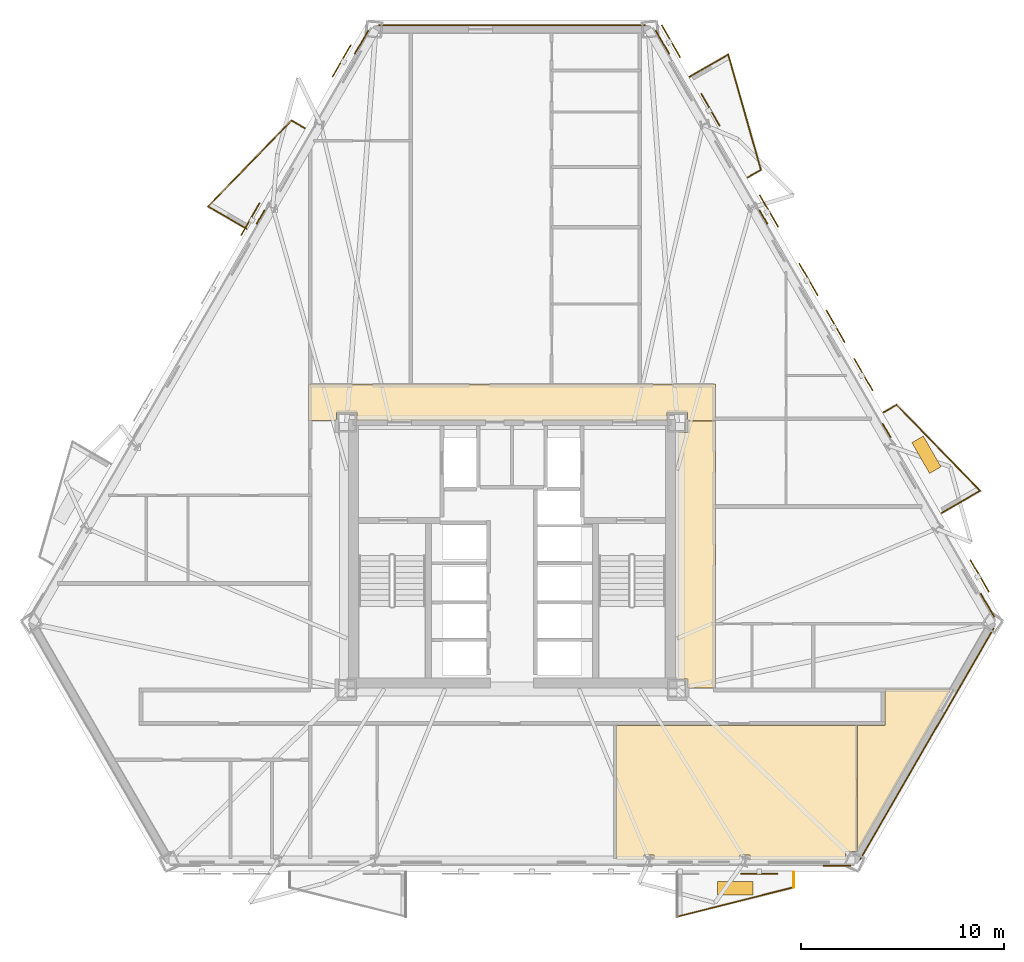
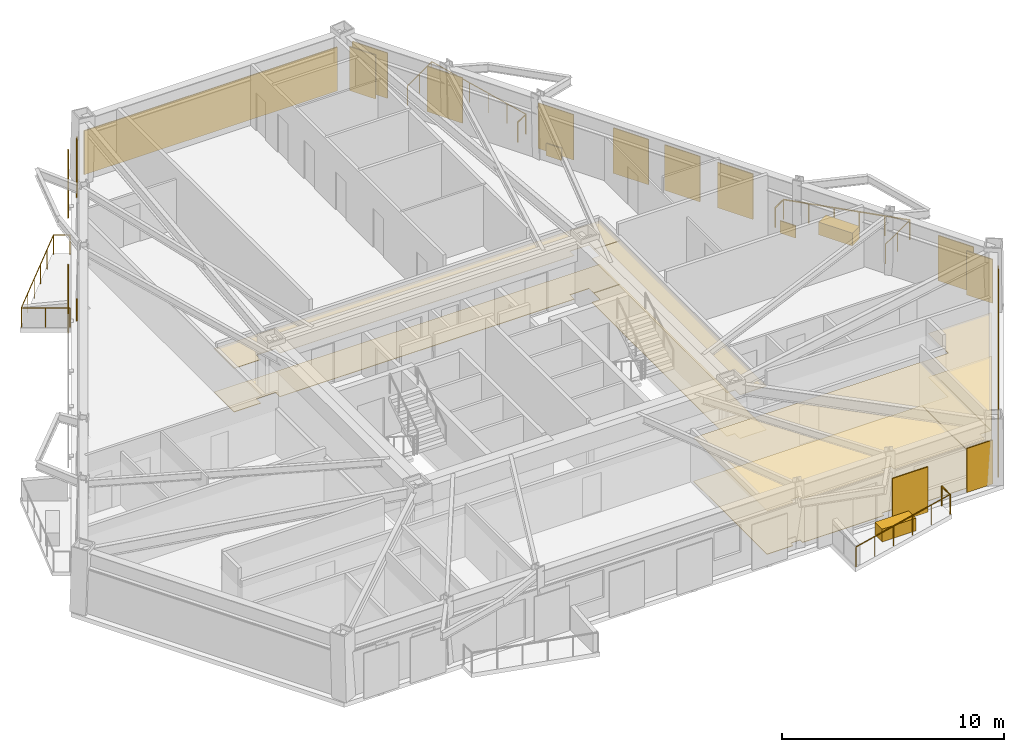
# One storey, part 10 of 10: 19 coverings, 11 railings, 10 shading devices.
"""IFC4 building model written with IfcOpenShell, lengths in metres."""

from ifc_helpers import new_model, si_unit, direction, frame, origin, origin_2d, place, context, subcontext, project, spatial, polyline, rectangle, circle, outline, extrude, material, layer, layer_set, type_object, element, save


model = new_model("IFC4")

# Units and contexts
model_context = context("Model", 3, precision=1e-05, world=origin(), true_north=direction((0.0, 1.0)))
body_context = subcontext(model_context, "Body", "Model", "MODEL_VIEW")
ifc_project = project(units=[si_unit("LENGTHUNIT", "METRE"), si_unit("AREAUNIT", "SQUARE_METRE"), si_unit("VOLUMEUNIT", "CUBIC_METRE"), si_unit("PLANEANGLEUNIT", "RADIAN"), si_unit("MASSUNIT", "GRAM", prefix="KILO")], contexts=[model_context])

# Site, building, storey
site_placement = place(None, origin())
site = spatial("IfcSite", under=ifc_project, at=site_placement, CompositionType="ELEMENT")
building_placement = place(site_placement, origin())
building = spatial("IfcBuilding", under=site, at=building_placement, Name="Oramaril Tower", CompositionType="ELEMENT")
storey_placement = place(building_placement, frame((0.0, 0.0, 66.89990234375)))
storey = spatial("IfcBuildingStorey", under=building, at=storey_placement, Name="L17", CompositionType="ELEMENT", Elevation=66.89990234375)

# Coverings
ifc_material_1 = material(Name="Mineral Fibre Acoustic Ceiling")
ifc_layer_1 = layer(ifc_material_1, 0.02001953125)
ifc_layer_set_1 = layer_set([ifc_layer_1], Name="CVT-CEIL")
covering_type_1 = type_object("IfcCoveringType", Name="CVT-CEIL", PredefinedType="CEILING", material=ifc_layer_set_1)
covering_1_placement = place(storey_placement, frame((0.0, 0.0, 2.400146484375)))
element("IfcCovering", 1, at=covering_1_placement, inside=storey, type_object=covering_type_1, Name="L17 Acoustic Suspended Ceiling 2", PredefinedType="CEILING", context=body_context, shape_type="SweptSolid", body=[
    extrude(outline(polyline([(47.530029296875, 24.239990234375), (46.14501953125, 24.239990234375), (46.14501953125, 24.64501953125), (45.155029296875, 24.64501953125), (45.155029296875, 24.25), (29.844970703125, 24.25), (29.844970703125, 24.64501953125), (28.85498046875, 24.64501953125), (28.85498046875, 24.239990234375), (27.469970703125, 24.239990234375), (27.469970703125, 26.050048828125), (47.530029296875, 26.050048828125), (47.530029296875, 24.239990234375)])), origin(), (0.0, 0.0, 1.0), 0.02001953125),
])
covering_2_placement = place(storey_placement, frame((0.0, 0.0, 2.400146484375)))
element("IfcCovering", 2, at=covering_2_placement, inside=storey, type_object=covering_type_1, Name="L17 Acoustic Suspended Ceiling 4", PredefinedType="CEILING", context=body_context, shape_type="SweptSolid", body=[
    extrude(outline(polyline([(47.530029296875, 11.050048828125), (46.14501953125, 11.050048828125), (46.14501953125, 11.4951171875), (45.719970703125, 11.4951171875), (45.719970703125, 23.655029296875), (46.14501953125, 23.655029296875), (46.14501953125, 24.219970703125), (47.530029296875, 24.219970703125), (47.530029296875, 11.050048828125)])), origin(), (0.0, 0.0, 1.0), 0.02001953125),
])
covering_3_placement = place(storey_placement, frame((0.0, 0.0, 2.400146484375)))
element("IfcCovering", 3, at=covering_3_placement, inside=storey, type_object=covering_type_1, Name="L17 Acoustic Suspended Ceiling 7", PredefinedType="CEILING", context=body_context, shape_type="SweptSolid", body=[
    extrude(outline(polyline([(53.9619140625, 2.980712890625), (53.9619140625, 2.573974609375), (49.24658203125, 2.573974609375), (49.24658203125, 2.797607421875), (48.74267578125, 2.797607421875), (48.74267578125, 2.573974609375), (44.50732421875, 2.573974609375), (44.50732421875, 2.797607421875), (44.015625, 2.797607421875), (44.015625, 2.573974609375), (42.662109375, 2.573974609375), (42.662109375, 9.199951171875), (54.527099609375, 9.199951171875), (54.527099609375, 2.980712890625), (53.9619140625, 2.980712890625)])), origin(), (0.0, 0.0, 1.0), 0.02001953125),
])
covering_4_placement = place(storey_placement, frame((0.0, 0.0, 2.400146484375)))
element("IfcCovering", 4, at=covering_4_placement, inside=storey, type_object=covering_type_1, Name="L17 Acoustic Suspended Ceiling 8", PredefinedType="CEILING", context=body_context, shape_type="SweptSolid", body=[
    extrude(outline(polyline([(59.1796875, 10.991943359375), (54.55419921875, 2.980712890625), (54.547119140625, 2.980712890625), (54.547119140625, 9.199951171875), (55.8798828125, 9.199951171875), (55.882080078125, 9.2001953125), (55.8837890625, 9.200439453125), (55.8857421875, 9.200927734375), (55.8876953125, 9.201416015625), (55.889404296875, 9.202392578125), (55.89111328125, 9.203369140625), (55.892578125, 9.20458984375), (55.89404296875, 9.205810546875), (55.8955078125, 9.207275390625), (55.896484375, 9.208984375), (55.897705078125, 9.210693359375), (55.8984375, 9.21240234375), (55.899169921875, 9.214111328125), (55.899658203125, 9.216064453125), (55.89990234375, 9.218017578125), (55.89990234375, 9.219970703125), (55.89990234375, 10.991943359375), (59.1796875, 10.991943359375)])), origin(), (0.0, 0.0, 1.0), 0.02001953125),
])
ifc_material_2 = material(Name="Warm Cream Limestone", Category="masonry")
ifc_layer_2 = layer(ifc_material_2, 0.050048828125)
ifc_layer_set_2 = layer_set([ifc_layer_2], Name="CVT-CLD")
covering_type_2 = type_object("IfcCoveringType", Name="CVT-CLD", PredefinedType="CLADDING", material=ifc_layer_set_2)
covering_5_placement = place(storey_placement, frame((53.53173828125, 2.27294921875, 0.0400390625), z_axis=(0.0, 0.0, 1.0), x_axis=(1.0, 0.0, 0.0)))
element("IfcCovering", 5, at=covering_5_placement, inside=storey, type_object=covering_type_2, Name="L17 Warm Cream Limestone Cladding", PredefinedType="CLADDING", context=body_context, shape_type="SweptSolid", body=[
    extrude(rectangle(XDim=1.35009765625, YDim=0.050048828125, at=origin_2d()), origin(), (0.0, 0.0, 1.0), 2.4140625),
])
covering_6_placement = place(storey_placement, frame((57.96435546875, 8.284912109375, 0.0400390625), z_axis=(0.0, 0.0, 1.0), x_axis=(0.5, 0.866025403784, 0.0)))
element("IfcCovering", 6, at=covering_6_placement, inside=storey, type_object=covering_type_2, Name="L17 Warm Cream Limestone Cladding", PredefinedType="CLADDING", context=body_context, shape_type="SweptSolid", body=[
    extrude(rectangle(XDim=13.161376953125, YDim=0.050048828125, at=origin_2d()), origin(), (0.0, 0.0, 1.0), 2.4140625),
])
for number, where, z_axis, x_axis, name in (
    (7, (60.95458984375, 15.129638671875, 0.0400390625), (0.0, 0.0, 1.0), (-0.5, 0.866025403784, 0.0), "L17 Warm Cream Limestone Cladding"),
    (8, (44.9228515625, 42.8974609375, 0.0400390625), (0.0, 0.0, 1.0), (-0.5, 0.866025403784, 0.0), "L17 Warm Cream Limestone Cladding"),
):
    element("IfcCovering", number, at=place(storey_placement, frame(where, z_axis=z_axis, x_axis=x_axis)), inside=storey, type_object=covering_type_2, Name=name, PredefinedType="CLADDING", context=body_context, shape_type="SweptSolid", body=[
        extrude(rectangle(XDim=1.35009765625, YDim=0.050048828125, at=origin_2d()), origin(), (0.0, 0.0, 1.0), 2.4140625),
    ])
for number, where, z_axis, x_axis, name in (
    (9, (55.9775390625, 23.750244140625, 0.0400390625), (0.0, 0.0, 1.0), (-0.5, 0.866025403784, 0.0), "L17 Warm Cream Limestone Spandrel Cladding"),
    (10, (49.89990234375, 34.27685546875, 0.0400390625), (0.0, 0.0, 1.0), (-0.5, 0.866025403784, 0.0), "L17 Warm Cream Limestone Spandrel Cladding"),
):
    element("IfcCovering", number, at=place(storey_placement, frame(where, z_axis=z_axis, x_axis=x_axis)), inside=storey, type_object=covering_type_2, Name=name, PredefinedType="CLADDING", context=body_context, shape_type="SweptSolid", body=[
        extrude(rectangle(XDim=0.800048828125, YDim=0.050048828125, at=origin_2d()), origin(), (0.0, 0.0, 1.0), 0.679931640625),
    ])
covering_7_placement = place(storey_placement, frame((37.5, 43.72998046875, 0.0400390625), z_axis=(0.0, 0.0, 1.0), x_axis=(-1.0, 0.0, 0.0)))
element("IfcCovering", 11, at=covering_7_placement, inside=storey, type_object=covering_type_2, Name="L17 Warm Cream Limestone Cladding", PredefinedType="CLADDING", context=body_context, shape_type="SweptSolid", body=[
    extrude(rectangle(XDim=13.161376953125, YDim=0.050048828125, at=origin_2d()), origin(), (0.0, 0.0, 1.0), 2.4140625),
])
covering_8_placement = place(storey_placement, frame((30.0771484375, 42.8974609375, 0.0400390625), z_axis=(0.0, 0.0, 1.0), x_axis=(-0.5, -0.866025403784, 0.0)))
element("IfcCovering", 12, at=covering_8_placement, inside=storey, type_object=covering_type_2, Name="L17 Warm Cream Limestone Cladding", PredefinedType="CLADDING", context=body_context, shape_type="SweptSolid", body=[
    extrude(rectangle(XDim=1.35009765625, YDim=0.050048828125, at=origin_2d()), origin(), (0.0, 0.0, 1.0), 2.4140625),
])
covering_9_placement = place(storey_placement, frame((25.10009765625, 34.27685546875, 0.0400390625), z_axis=(0.0, 0.0, 1.0), x_axis=(-0.5, -0.866025403784, 0.0)))
element("IfcCovering", 13, at=covering_9_placement, inside=storey, type_object=covering_type_2, Name="L17 Warm Cream Limestone Spandrel Cladding", PredefinedType="CLADDING", context=body_context, shape_type="SweptSolid", body=[
    extrude(rectangle(XDim=0.800048828125, YDim=0.050048828125, at=origin_2d()), origin(), (0.0, 0.0, 1.0), 0.679931640625),
])
for number, where, z_axis, x_axis, name in (
    (14, (48.5224609375, 1.16943359375, 0.0), (0.0, 0.0, 1.0), (1.0, 0.0, 0.0), "L17 Structural Tree Planter Box L17-BAL-S2"),
    (15, (57.943115234375, 22.552734375, 0.0), (0.0, 0.0, 1.0), (-0.500001511499, 0.866024531118, 0.0), "L17 Structural Tree Planter Box L17-BAL-NE1"),
):
    element("IfcCovering", number, at=place(storey_placement, frame(where, z_axis=z_axis, x_axis=x_axis)), inside=storey, type_object=covering_type_2, Name=name, PredefinedType="CLADDING", context=body_context, shape_type="SweptSolid", body=[
        extrude(rectangle(XDim=1.75, YDim=0.64990234375, at=origin_2d()), origin(), (0.0, 0.0, 1.0), 0.699951171875),
    ])
ifc_material_3 = material(Name="Honed Quartzite Stone Flooring", Category="masonry")
ifc_layer_3 = layer(ifc_material_3, 0.02490234375)
ifc_layer_set_3 = layer_set([ifc_layer_3], Name="CVT-FLR")
covering_type_3 = type_object("IfcCoveringType", Name="CVT-FLR", PredefinedType="FLOORING", material=ifc_layer_set_3)
covering_10_placement = place(storey_placement, origin())
element("IfcCovering", 16, at=covering_10_placement, inside=storey, type_object=covering_type_3, Name="L17 Honed Stone Floor Finish 2", PredefinedType="FLOORING", context=body_context, shape_type="SweptSolid", body=[
    extrude(outline(polyline([(47.530029296875, 24.239990234375), (46.14501953125, 24.239990234375), (46.14501953125, 24.64501953125), (45.155029296875, 24.64501953125), (45.155029296875, 24.25), (29.844970703125, 24.25), (29.844970703125, 24.64501953125), (28.85498046875, 24.64501953125), (28.85498046875, 24.239990234375), (27.469970703125, 24.239990234375), (27.469970703125, 26.050048828125), (47.530029296875, 26.050048828125), (47.530029296875, 24.239990234375)])), origin(), (0.0, 0.0, 1.0), 0.025146484375),
])
covering_11_placement = place(storey_placement, origin())
element("IfcCovering", 17, at=covering_11_placement, inside=storey, type_object=covering_type_3, Name="L17 Honed Stone Floor Finish 4", PredefinedType="FLOORING", context=body_context, shape_type="SweptSolid", body=[
    extrude(outline(polyline([(47.530029296875, 11.050048828125), (46.14501953125, 11.050048828125), (46.14501953125, 11.4951171875), (45.719970703125, 11.4951171875), (45.719970703125, 23.655029296875), (46.14501953125, 23.655029296875), (46.14501953125, 24.219970703125), (47.530029296875, 24.219970703125), (47.530029296875, 11.050048828125)])), origin(), (0.0, 0.0, 1.0), 0.025146484375),
])
covering_12_placement = place(storey_placement, origin())
element("IfcCovering", 18, at=covering_12_placement, inside=storey, type_object=covering_type_3, Name="L17 Honed Stone Floor Finish 7", PredefinedType="FLOORING", context=body_context, shape_type="SweptSolid", body=[
    extrude(outline(polyline([(53.9619140625, 2.980712890625), (53.9619140625, 2.573974609375), (49.24658203125, 2.573974609375), (49.24658203125, 2.797607421875), (48.74267578125, 2.797607421875), (48.74267578125, 2.573974609375), (44.50732421875, 2.573974609375), (44.50732421875, 2.797607421875), (44.015625, 2.797607421875), (44.015625, 2.573974609375), (42.662109375, 2.573974609375), (42.662109375, 9.199951171875), (54.527099609375, 9.199951171875), (54.527099609375, 2.980712890625), (53.9619140625, 2.980712890625)])), origin(), (0.0, 0.0, 1.0), 0.025146484375),
])
covering_13_placement = place(storey_placement, origin())
element("IfcCovering", 19, at=covering_13_placement, inside=storey, type_object=covering_type_3, Name="L17 Honed Stone Floor Finish 8", PredefinedType="FLOORING", context=body_context, shape_type="SweptSolid", body=[
    extrude(outline(polyline([(59.1796875, 10.991943359375), (54.55419921875, 2.980712890625), (54.547119140625, 2.980712890625), (54.547119140625, 9.199951171875), (55.8798828125, 9.199951171875), (55.882080078125, 9.2001953125), (55.8837890625, 9.200439453125), (55.8857421875, 9.200927734375), (55.8876953125, 9.201416015625), (55.889404296875, 9.202392578125), (55.89111328125, 9.203369140625), (55.892578125, 9.20458984375), (55.89404296875, 9.205810546875), (55.8955078125, 9.207275390625), (55.896484375, 9.208984375), (55.897705078125, 9.210693359375), (55.8984375, 9.21240234375), (55.899169921875, 9.214111328125), (55.899658203125, 9.216064453125), (55.89990234375, 9.218017578125), (55.89990234375, 9.219970703125), (55.89990234375, 10.991943359375), (59.1796875, 10.991943359375)])), origin(), (0.0, 0.0, 1.0), 0.025146484375),
])

# Railings
ifc_material_4 = material(Name="Stainless Steel 316L", Category="steel")
railing_type = type_object("IfcRailingType", Name="RLT-GRD", PredefinedType="GUARDRAIL", material=ifc_material_4)
railing_1_placement = place(storey_placement, frame((51.387451171875, 1.9580078125, 0.0)))
element("IfcRailing", 20, at=railing_1_placement, inside=storey, type_object=railing_type, Name="L17 Balcony Guardrail L17-BAL-S2.1", PredefinedType="GUARDRAIL", context=body_context, shape_type="SweptSolid", body=[
    extrude(circle(Radius=0.02392578125, at=origin_2d()), frame((0.0, 0.0, 1.076171875), z_axis=(0.0, -1.0, 0.0), x_axis=(1.0, 0.0, 0.0)), (0.0, 0.0, 1.0), 0.7421875),
    extrude(circle(Radius=0.02099609375, at=origin_2d()), origin(), (0.0, 0.0, 1.0), 1.052001953125),
    extrude(circle(Radius=0.02099609375, at=origin_2d()), frame((0.0, -0.7421875, 0.0)), (0.0, 0.0, 1.0), 1.052001953125),
])
railing_2_placement = place(storey_placement, frame((51.387451171875, 1.2158203125, 0.0)))
element("IfcRailing", 21, at=railing_2_placement, inside=storey, type_object=railing_type, Name="L17 Balcony Guardrail L17-BAL-S2.2", PredefinedType="GUARDRAIL", context=body_context, shape_type="SweptSolid", body=[
    extrude(circle(Radius=0.02392578125, at=origin_2d()), frame((0.0, 0.0, 1.076171875), z_axis=(-0.969443611257, -0.245314256807, 0.0), x_axis=(0.245314256807, -0.969443611257, 0.0)), (0.0, 0.0, 1.0), 5.91064453125),
    extrude(circle(Radius=0.02099609375, at=origin_2d()), origin(), (0.0, 0.0, 1.0), 1.052001953125),
    extrude(circle(Radius=0.02099609375, at=origin_2d()), frame((-1.14599609375, -0.2900390625, 0.0)), (0.0, 0.0, 1.0), 1.052001953125),
    extrude(circle(Radius=0.02099609375, at=origin_2d()), frame((-2.2919921875, -0.580078125, 0.0)), (0.0, 0.0, 1.0), 1.052001953125),
    extrude(circle(Radius=0.02099609375, at=origin_2d()), frame((-3.43798828125, -0.869873046875, 0.0)), (0.0, 0.0, 1.0), 1.052001953125),
    extrude(circle(Radius=0.02099609375, at=origin_2d()), frame((-4.583984375, -1.159912109375, 0.0)), (0.0, 0.0, 1.0), 1.052001953125),
    extrude(circle(Radius=0.02099609375, at=origin_2d()), frame((-5.72998046875, -1.449951171875, 0.0)), (0.0, 0.0, 1.0), 1.052001953125),
])
railing_3_placement = place(storey_placement, frame((55.827880859375, 24.6396484375, 0.0)))
element("IfcRailing", 22, at=railing_3_placement, inside=storey, type_object=railing_type, Name="L17 Balcony Guardrail L17-BAL-NE1.1", PredefinedType="GUARDRAIL", context=body_context, shape_type="SweptSolid", body=[
    extrude(circle(Radius=0.02392578125, at=origin_2d()), frame((0.0, 0.0, 1.076171875), z_axis=(0.866026623601, 0.49999788721, 0.0), x_axis=(-0.49999788721, 0.866026623601, 0.0)), (0.0, 0.0, 1.0), 0.74169921875),
    extrude(circle(Radius=0.02099609375, at=origin_2d()), origin(), (0.0, 0.0, 1.0), 1.052001953125),
    extrude(circle(Radius=0.02099609375, at=origin_2d()), frame((0.642333984375, 0.370849609375, 0.0)), (0.0, 0.0, 1.0), 1.052001953125),
])
railing_4_placement = place(storey_placement, frame((56.47021484375, 25.010498046875, 0.0)))
element("IfcRailing", 23, at=railing_4_placement, inside=storey, type_object=railing_type, Name="L17 Balcony Guardrail L17-BAL-NE1.2", PredefinedType="GUARDRAIL", context=body_context, shape_type="SweptSolid", body=[
    extrude(circle(Radius=0.02392578125, at=origin_2d()), frame((0.0, 0.0, 1.076171875), z_axis=(0.697207560153, -0.716869317285, 0.0), x_axis=(0.716869317285, 0.697207560153, 0.0)), (0.0, 0.0, 1.0), 5.910400390625),
    extrude(circle(Radius=0.02099609375, at=origin_2d()), origin(), (0.0, 0.0, 1.0), 1.052001953125),
    extrude(circle(Radius=0.02099609375, at=origin_2d()), frame((0.82421875, -0.847412109375, 0.0)), (0.0, 0.0, 1.0), 1.052001953125),
    extrude(circle(Radius=0.02099609375, at=origin_2d()), frame((1.6484375, -1.69482421875, 0.0)), (0.0, 0.0, 1.0), 1.052001953125),
    extrude(circle(Radius=0.02099609375, at=origin_2d()), frame((2.472412109375, -2.542236328125, 0.0)), (0.0, 0.0, 1.0), 1.052001953125),
    extrude(circle(Radius=0.02099609375, at=origin_2d()), frame((3.296630859375, -3.3896484375, 0.0)), (0.0, 0.0, 1.0), 1.052001953125),
    extrude(circle(Radius=0.02099609375, at=origin_2d()), frame((4.120849609375, -4.237060546875, 0.0)), (0.0, 0.0, 1.0), 1.052001953125),
])
railing_5_placement = place(storey_placement, frame((60.591064453125, 20.7734375, 0.0)))
element("IfcRailing", 24, at=railing_5_placement, inside=storey, type_object=railing_type, Name="L17 Balcony Guardrail L17-BAL-NE1.3", PredefinedType="GUARDRAIL", context=body_context, shape_type="SweptSolid", body=[
    extrude(circle(Radius=0.02392578125, at=origin_2d()), frame((0.0, 0.0, 1.076171875), z_axis=(-0.866020500697, -0.5000084923, 0.0), x_axis=(0.5000084923, -0.866020500697, 0.0)), (0.0, 0.0, 1.0), 2.19189453125),
    extrude(circle(Radius=0.02099609375, at=origin_2d()), origin(), (0.0, 0.0, 1.0), 1.052001953125),
    extrude(circle(Radius=0.02099609375, at=origin_2d()), frame((-0.94921875, -0.5478515625, 0.0)), (0.0, 0.0, 1.0), 1.052001953125),
    extrude(circle(Radius=0.02099609375, at=origin_2d()), frame((-1.898193359375, -1.095947265625, 0.0)), (0.0, 0.0, 1.0), 1.052001953125),
])
railing_6_placement = place(storey_placement, frame((46.267822265625, 41.19775390625, 0.0)))
element("IfcRailing", 25, at=railing_6_placement, inside=storey, type_object=railing_type, Name="L17 Balcony Guardrail L17-BAL-NE2.1", PredefinedType="GUARDRAIL", context=body_context, shape_type="SweptSolid", body=[
    extrude(circle(Radius=0.02392578125, at=origin_2d()), frame((0.0, 0.0, 1.076171875), z_axis=(0.866048343933, 0.499960264392, 0.0), x_axis=(-0.499960264392, 0.866048343933, 0.0)), (0.0, 0.0, 1.0), 2.192138671875),
    extrude(circle(Radius=0.02099609375, at=origin_2d()), origin(), (0.0, 0.0, 1.0), 1.052001953125),
    extrude(circle(Radius=0.02099609375, at=origin_2d()), frame((0.94921875, 0.5478515625, 0.0)), (0.0, 0.0, 1.0), 1.052001953125),
    extrude(circle(Radius=0.02099609375, at=origin_2d()), frame((1.8984375, 1.095947265625, 0.0)), (0.0, 0.0, 1.0), 1.052001953125),
])
railing_7_placement = place(storey_placement, frame((48.166259765625, 42.293701171875, 0.0)))
element("IfcRailing", 26, at=railing_7_placement, inside=storey, type_object=railing_type, Name="L17 Balcony Guardrail L17-BAL-NE2.2", PredefinedType="GUARDRAIL", context=body_context, shape_type="SweptSolid", body=[
    extrude(circle(Radius=0.02392578125, at=origin_2d()), frame((0.0, 0.0, 1.076171875), z_axis=(0.272259686627, -0.962223811303, 0.0), x_axis=(0.962223811303, 0.272259686627, 0.0)), (0.0, 0.0, 1.0), 5.910400390625),
    extrude(circle(Radius=0.02099609375, at=origin_2d()), origin(), (0.0, 0.0, 1.0), 1.052001953125),
    extrude(circle(Radius=0.02099609375, at=origin_2d()), frame((0.32177734375, -1.137451171875, 0.0)), (0.0, 0.0, 1.0), 1.052001953125),
    extrude(circle(Radius=0.02099609375, at=origin_2d()), frame((0.6435546875, -2.27490234375, 0.0)), (0.0, 0.0, 1.0), 1.052001953125),
    extrude(circle(Radius=0.02099609375, at=origin_2d()), frame((0.965576171875, -3.412109375, 0.0)), (0.0, 0.0, 1.0), 1.052001953125),
    extrude(circle(Radius=0.02099609375, at=origin_2d()), frame((1.287353515625, -4.549560546875, 0.0)), (0.0, 0.0, 1.0), 1.052001953125),
    extrude(circle(Radius=0.02099609375, at=origin_2d()), frame((1.609130859375, -5.68701171875, 0.0)), (0.0, 0.0, 1.0), 1.052001953125),
])
railing_8_placement = place(storey_placement, frame((49.775390625, 36.606689453125, 0.0)))
element("IfcRailing", 27, at=railing_8_placement, inside=storey, type_object=railing_type, Name="L17 Balcony Guardrail L17-BAL-NE2.3", PredefinedType="GUARDRAIL", context=body_context, shape_type="SweptSolid", body=[
    extrude(circle(Radius=0.02392578125, at=origin_2d()), frame((0.0, 0.0, 1.076171875), z_axis=(-0.865966403178, -0.500102178127, 0.0), x_axis=(0.500102178127, -0.865966403178, 0.0)), (0.0, 0.0, 1.0), 0.741943359375),
    extrude(circle(Radius=0.02099609375, at=origin_2d()), origin(), (0.0, 0.0, 1.0), 1.052001953125),
    extrude(circle(Radius=0.02099609375, at=origin_2d()), frame((-0.642578125, -0.37109375, 0.0)), (0.0, 0.0, 1.0), 1.052001953125),
])
railing_9_placement = place(storey_placement, frame((24.404541015625, 33.702392578125, 0.0)))
element("IfcRailing", 28, at=railing_9_placement, inside=storey, type_object=railing_type, Name="L17 Balcony Guardrail L17-BAL-NW1.1", PredefinedType="GUARDRAIL", context=body_context, shape_type="SweptSolid", body=[
    extrude(circle(Radius=0.02392578125, at=origin_2d()), frame((0.0, 0.0, 1.076171875), z_axis=(-0.865972267571, 0.50009202333, 0.0), x_axis=(-0.50009202333, -0.865972267571, 0.0)), (0.0, 0.0, 1.0), 2.19189453125),
    extrude(circle(Radius=0.02099609375, at=origin_2d()), origin(), (0.0, 0.0, 1.0), 1.052001953125),
    extrude(circle(Radius=0.02099609375, at=origin_2d()), frame((-0.94921875, 0.548095703125, 0.0)), (0.0, 0.0, 1.0), 1.052001953125),
    extrude(circle(Radius=0.02099609375, at=origin_2d()), frame((-1.898193359375, 1.09619140625, 0.0)), (0.0, 0.0, 1.0), 1.052001953125),
])
railing_10_placement = place(storey_placement, frame((22.50634765625, 34.798583984375, 0.0)))
element("IfcRailing", 29, at=railing_10_placement, inside=storey, type_object=railing_type, Name="L17 Balcony Guardrail L17-BAL-NW1.2", PredefinedType="GUARDRAIL", context=body_context, shape_type="SweptSolid", body=[
    extrude(circle(Radius=0.02392578125, at=origin_2d()), frame((0.0, 0.0, 1.076171875), z_axis=(0.697207560153, 0.716869317285, 0.0), x_axis=(-0.716869317285, 0.697207560153, 0.0)), (0.0, 0.0, 1.0), 5.910400390625),
    extrude(circle(Radius=0.02099609375, at=origin_2d()), origin(), (0.0, 0.0, 1.0), 1.052001953125),
    extrude(circle(Radius=0.02099609375, at=origin_2d()), frame((0.82421875, 0.847412109375, 0.0)), (0.0, 0.0, 1.0), 1.052001953125),
    extrude(circle(Radius=0.02099609375, at=origin_2d()), frame((1.6484375, 1.69482421875, 0.0)), (0.0, 0.0, 1.0), 1.052001953125),
    extrude(circle(Radius=0.02099609375, at=origin_2d()), frame((2.472412109375, 2.542236328125, 0.0)), (0.0, 0.0, 1.0), 1.052001953125),
    extrude(circle(Radius=0.02099609375, at=origin_2d()), frame((3.296630859375, 3.3896484375, 0.0)), (0.0, 0.0, 1.0), 1.052001953125),
    extrude(circle(Radius=0.02099609375, at=origin_2d()), frame((4.120849609375, 4.237060546875, 0.0)), (0.0, 0.0, 1.0), 1.052001953125),
])
railing_11_placement = place(storey_placement, frame((26.627197265625, 39.03564453125, 0.0)))
element("IfcRailing", 30, at=railing_11_placement, inside=storey, type_object=railing_type, Name="L17 Balcony Guardrail L17-BAL-NW1.3", PredefinedType="GUARDRAIL", context=body_context, shape_type="SweptSolid", body=[
    extrude(circle(Radius=0.02392578125, at=origin_2d()), frame((0.0, 0.0, 1.076171875), z_axis=(0.866026623601, -0.49999788721, 0.0), x_axis=(0.49999788721, 0.866026623601, 0.0)), (0.0, 0.0, 1.0), 0.74169921875),
    extrude(circle(Radius=0.02099609375, at=origin_2d()), origin(), (0.0, 0.0, 1.0), 1.052001953125),
    extrude(circle(Radius=0.02099609375, at=origin_2d()), frame((0.642333984375, -0.370849609375, 0.0)), (0.0, 0.0, 1.0), 1.052001953125),
])

# Shading devices
for number, where, z_axis, x_axis, name in (
    (31, (49.6962890625, 1.885986328125, -0.02001953125), (0.0, 0.0, 1.0), (1.0, 0.0, 0.0), "L17 Perforated Ceramic Solar Screen"),
    (32, (60.567626953125, 16.573974609375, -0.02001953125), (0.0, 0.0, 1.0), (-0.5, 0.866025403784, 0.0), "L17 Perforated Ceramic Solar Screen"),
    (33, (52.123291015625, 31.199951171875, -0.02001953125), (0.0, 0.0, 1.0), (-0.5, 0.866025403784, 0.0), "L17 Perforated Ceramic Solar Screen"),
    (34, (50.17333984375, 34.577392578125, -0.02001953125), (0.0, 0.0, 1.0), (-0.5, 0.866025403784, 0.0), "L17 Perforated Ceramic Solar Screen"),
    (35, (47.289794921875, 39.572021484375, -0.02001953125), (0.0, 0.0, 1.0), (-0.5, 0.866025403784, 0.0), "L17 Perforated Ceramic Solar Screen"),
    (36, (45.339599609375, 42.949462890625, -0.02001953125), (0.0, 0.0, 1.0), (-0.5, 0.866025403784, 0.0), "L17 Perforated Ceramic Solar Screen"),
    (37, (54.83349609375, 26.505615234375, -0.02001953125), (0.0, 0.0, 1.0), (-0.5, 0.866025403784, 0.0), "L17 Perforated Ceramic Solar Screen"),
    (38, (53.457763671875, 28.888671875, -0.02001953125), (0.0, 0.0, 1.0), (-0.5, 0.866025403784, 0.0), "L17 Perforated Ceramic Solar Screen"),
    (39, (24.592529296875, 34.171630859375, -0.02001953125), (0.0, 0.0, 1.0), (-0.5, -0.866025403784, 0.0), "L17 Perforated Ceramic Solar Screen"),
    (40, (29.1015625, 41.981689453125, -0.02001953125), (0.0, 0.0, 1.0), (-0.5, -0.866025403784, 0.0), "L17 Perforated Ceramic Solar Screen"),
):
    element("IfcShadingDevice", number, at=place(storey_placement, frame(where, z_axis=z_axis, x_axis=x_axis)), inside=storey, Name=name, ObjectType="SCREEN", PredefinedType="USERDEFINED", context=body_context, shape_type="SweptSolid", body=[
        extrude(rectangle(XDim=1.8330078125, YDim=0.050048828125, at=origin_2d()), origin(), (0.0, 0.0, 1.0), 2.493896484375),
    ])

save(model, "model.ifc")
